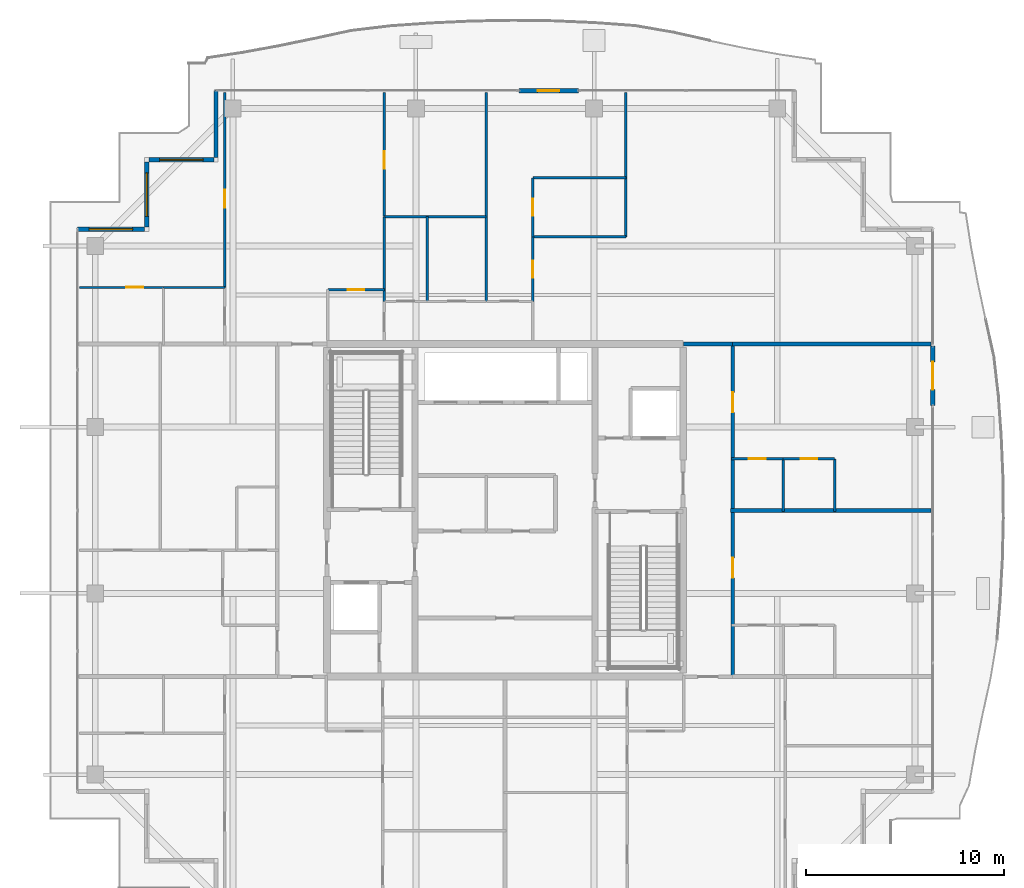
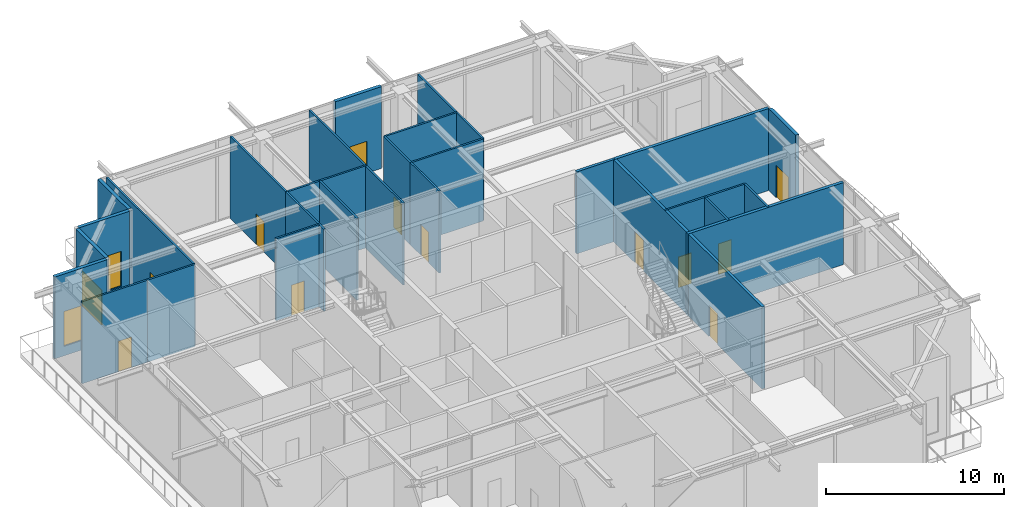
# One storey, part 30 of 40: 28 walls, 12 doors, 3 windows, 15 openings.
"""IFC4 building model written with IfcOpenShell, lengths in metres."""

import ifcopenshell
import ifcopenshell.guid

model = None  # the IFC model being written
_history = None  # IfcOwnerHistory: only IFC2X3 demands one
_inside = {}  # id of a spatial element -> (the spatial element, [elements in it])
_under = {}  # id of a project, library or spatial element -> (it, [spatial elements below it])
_declared = {}  # id of a project -> (the project, [libraries it declares])
_typed = {}  # id of a type object -> (the type object, [elements of that type])
_made_of = {}  # id of a material, layer set ... -> (it, [elements and type objects made of it])


def new_model(schema):
    """Start an empty IFC model of exactly this schema.

    Asked for "IFC4X3", IfcOpenShell would pick the latest addendum, in which some entities
    have other attributes; the version numbers below select the first issue.
    IFC2X3 requires an IfcOwnerHistory on every rooted entity: one is made here for all.
    """
    global model, _history
    if schema == "IFC4X3":
        model = ifcopenshell.file(schema_version=(4, 3, 0, 0))
    else:
        model = ifcopenshell.file(schema=schema)
    _inside.clear()
    _under.clear()
    _declared.clear()
    _typed.clear()
    _made_of.clear()
    _history = None
    if model.schema == "IFC2X3":
        org = make("IfcOrganization", Name="unknown")
        user = make(
            "IfcPersonAndOrganization",
            ThePerson=make("IfcPerson", FamilyName="unknown"),
            TheOrganization=org,
        )
        app = make(
            "IfcApplication",
            ApplicationDeveloper=org,
            Version="unknown",
            ApplicationFullName="unknown",
            ApplicationIdentifier="unknown",
        )
        _history = make(
            "IfcOwnerHistory",
            OwningUser=user,
            OwningApplication=app,
            ChangeAction="ADDED",
            CreationDate=0,
        )
    return model


def make(cls, **values):
    """One entity of the class cls with the attributes given. An attribute that is None is left unset."""
    return model.create_entity(
        cls, **{name: value for name, value in values.items() if value is not None}
    )


def rooted(cls, **values):
    """An entity with a GlobalId (a new one), such as an element, a storey or a relation."""
    return make(cls, GlobalId=ifcopenshell.guid.new(), OwnerHistory=_history, **values)


def si_unit(unit_type, name, prefix=None):
    """IfcSIUnit, for example si_unit("LENGTHUNIT", "METRE", prefix="MILLI")."""
    return make("IfcSIUnit", UnitType=unit_type, Prefix=prefix, Name=name)


def assignment(units):
    """IfcUnitAssignment: the units of a project."""
    return None if units is None else make("IfcUnitAssignment", Units=units)


def point(xyz):
    """IfcCartesianPoint."""
    return None if xyz is None else make("IfcCartesianPoint", Coordinates=xyz)


def direction(xyz):
    """IfcDirection."""
    return None if xyz is None else make("IfcDirection", DirectionRatios=xyz)


def frame(location, z_axis=None, x_axis=None):
    """IfcAxis2Placement3D, a coordinate frame: its origin and axes. An axis left out is left unset."""
    return make(
        "IfcAxis2Placement3D",
        Location=point(location),
        Axis=direction(z_axis),
        RefDirection=direction(x_axis),
    )


def frame_2d(location, x_axis=None):
    """IfcAxis2Placement2D, a coordinate frame in the plane: its origin and x axis."""
    return make(
        "IfcAxis2Placement2D", Location=point(location), RefDirection=direction(x_axis)
    )


def origin():
    """The frame at (0, 0, 0) with its axes left unset."""
    return frame((0.0, 0.0, 0.0))


def place(relative_to, where):
    """IfcLocalPlacement: puts the frame where relative to a parent placement (None: the world)."""
    return make(
        "IfcLocalPlacement", PlacementRelTo=relative_to, RelativePlacement=where
    )


def context(
    kind, dimensions, precision=None, world=None, true_north=None, identifier=None
):
    """IfcGeometricRepresentationContext, for example the 3D "Model" context."""
    return make(
        "IfcGeometricRepresentationContext",
        ContextIdentifier=identifier,
        ContextType=kind,
        CoordinateSpaceDimension=dimensions,
        Precision=precision,
        WorldCoordinateSystem=world,
        TrueNorth=true_north,
    )


def subcontext(parent, identifier, kind, view, scale=None):
    """IfcGeometricRepresentationSubContext, for example "Body" below "Model"."""
    return make(
        "IfcGeometricRepresentationSubContext",
        ContextIdentifier=identifier,
        ContextType=kind,
        ParentContext=parent,
        TargetScale=scale,
        TargetView=view,
    )


def project(units=None, contexts=None):
    """IfcProject with its units and contexts."""
    return rooted(
        "IfcProject",
        Name="project",
        RepresentationContexts=contexts,
        UnitsInContext=assignment(units),
    )


def spatial(cls, under=None, at=None, **own):
    """A site, building, storey or space (cls), placed at a placement, below another one or the project."""
    s = rooted(cls, ObjectPlacement=at, **own)
    if under is not None:
        _under.setdefault(under.id(), (under, []))[1].append(s)
    return s


def profile(cls, at=None, kind="AREA", **sizes):
    """A parametric profile (cls). Its sizes go by their IFC names, for example OverallWidth=200.0."""
    return make(cls, ProfileType=kind, Position=at, **sizes)


def rectangle(**sizes):
    """IfcRectangleProfileDef."""
    return profile("IfcRectangleProfileDef", **sizes)


def extrude(swept, where, along, depth):
    """IfcExtrudedAreaSolid: the profile swept, set in the frame where, extruded along a direction by depth."""
    return make(
        "IfcExtrudedAreaSolid",
        SweptArea=swept,
        Position=where,
        ExtrudedDirection=direction(along),
        Depth=depth,
    )


def shape(context_of_items, identifier, shape_type, items):
    """IfcShapeRepresentation: the items that make up one representation, for example the "Body"."""
    return make(
        "IfcShapeRepresentation",
        ContextOfItems=context_of_items,
        RepresentationIdentifier=identifier,
        RepresentationType=shape_type,
        Items=items,
    )


def source(mapping_origin, context_of_items, identifier, shape_type, items):
    """IfcRepresentationMap: a shape defined once, which mapped items show again and again."""
    return make(
        "IfcRepresentationMap",
        MappingOrigin=mapping_origin,
        MappedRepresentation=shape(context_of_items, identifier, shape_type, items),
    )


def transform(
    local_origin,
    x_axis=None,
    y_axis=None,
    z_axis=None,
    scale=None,
    scale2=None,
    scale3=None,
    uniform=True,
):
    """IfcCartesianTransformationOperator3D, or its non-uniform kind. x_axis, y_axis, z_axis: its Axis1, 2, 3."""
    if uniform:
        return make(
            "IfcCartesianTransformationOperator3D",
            Axis1=direction(x_axis),
            Axis2=direction(y_axis),
            LocalOrigin=point(local_origin),
            Scale=scale,
            Axis3=direction(z_axis),
        )
    return make(
        "IfcCartesianTransformationOperator3DnonUniform",
        Axis1=direction(x_axis),
        Axis2=direction(y_axis),
        LocalOrigin=point(local_origin),
        Scale=scale,
        Axis3=direction(z_axis),
        Scale2=scale2,
        Scale3=scale3,
    )


def mapped(mapping_source, mapping_target):
    """IfcMappedItem: shows the shape of a source again, moved by a transform."""
    return make(
        "IfcMappedItem", MappingSource=mapping_source, MappingTarget=mapping_target
    )


def material(Name=None, Category=None):
    """IfcMaterial."""
    return make("IfcMaterial", Name=Name, Category=Category)


def layer(
    of_material, thickness, ventilated=None, Name=None, Category=None, Priority=None
):
    """IfcMaterialLayer: one layer of a wall or slab, of a material (None: an air gap)."""
    return make(
        "IfcMaterialLayer",
        Material=of_material,
        LayerThickness=thickness,
        IsVentilated=ventilated,
        Name=Name,
        Category=Category,
        Priority=Priority,
    )


def layer_set(layers, Name=None):
    """IfcMaterialLayerSet."""
    return make("IfcMaterialLayerSet", MaterialLayers=layers, LayerSetName=Name)


def made_of(thing, what):
    """Note that an element or type object is made of a material, layer set ...; save() writes the relation."""
    if what is not None:
        _made_of.setdefault(what.id(), (what, []))[1].append(thing)
    return thing


def type_object(cls, material=None, **own):
    """A type object (cls), such as IfcWallType, which elements share."""
    return made_of(rooted(cls, **own), material)


def element(
    cls,
    number,
    at=None,
    inside=None,
    cuts=None,
    type_object=None,
    material=None,
    context=None,
    identifier="Body",
    shape_type=None,
    held_by="IfcProductDefinitionShape",
    body=None,
    shapes=None,
    **own,
):
    """One element of the class cls, such as IfcWall. Its Tag is "e" and its number.

    at: its placement. inside: the storey or other place that contains it. cuts: it is an
    opening in that element (IfcRelVoidsElement). A single representation is given by context,
    identifier, shape_type and body (its items); several are given by shapes. held_by: the class
    of the entity that holds the representations. save() writes the other relations.
    """
    e = rooted(cls, Tag="e%d" % number, ObjectPlacement=at, **own)
    if body is not None:
        shapes = [shape(context, identifier, shape_type, body)]
    if shapes is not None:
        e.Representation = make(held_by, Representations=shapes)
    if inside is not None:
        _inside.setdefault(inside.id(), (inside, []))[1].append(e)
    if cuts is not None:
        rooted(
            "IfcRelVoidsElement", RelatingBuildingElement=cuts, RelatedOpeningElement=e
        )
    if type_object is not None:
        _typed.setdefault(type_object.id(), (type_object, []))[1].append(e)
    return made_of(e, material)


def fill(opening, filler):
    """IfcRelFillsElement: the door or window that sits in an opening."""
    return rooted(
        "IfcRelFillsElement",
        RelatingOpeningElement=opening,
        RelatedBuildingElement=filler,
    )


def aggregate(whole, parts):
    """IfcRelAggregates: a whole, such as a stair, and the parts it consists of."""
    return rooted("IfcRelAggregates", RelatingObject=whole, RelatedObjects=parts)


def save(model, path):
    """Write the relations noted so far, then the file.

    IfcRelAggregates (storeys below a building ...), IfcRelContainedInSpatialStructure (elements
    in a storey), IfcRelDefinesByType, IfcRelAssociatesMaterial and IfcRelDeclares: one each for
    every whole, place, type object, material and project.
    """
    for whole, parts in _under.values():
        aggregate(whole, parts)
    for where, things in _inside.values():
        rooted(
            "IfcRelContainedInSpatialStructure",
            RelatedElements=things,
            RelatingStructure=where,
        )
    for kind, things in _typed.values():
        rooted("IfcRelDefinesByType", RelatedObjects=things, RelatingType=kind)
    for what, things in _made_of.values():
        rooted("IfcRelAssociatesMaterial", RelatedObjects=things, RelatingMaterial=what)
    for by, libraries in _declared.values():
        rooted("IfcRelDeclares", RelatingContext=by, RelatedDefinitions=libraries)
    model.write(path)


model = new_model("IFC4")

# Units and contexts
model_context = context("Model", 3, precision=1e-05, world=origin(), true_north=direction((0.0, 1.0)))
body_context = subcontext(model_context, "Body", "Model", "MODEL_VIEW")
ifc_project = project(units=[si_unit("LENGTHUNIT", "METRE"), si_unit("AREAUNIT", "SQUARE_METRE"), si_unit("VOLUMEUNIT", "CUBIC_METRE"), si_unit("PLANEANGLEUNIT", "RADIAN"), si_unit("MASSUNIT", "GRAM", prefix="KILO")], contexts=[model_context])

# Site, building, storey
site_placement = place(None, origin())
site = spatial("IfcSite", under=ifc_project, at=site_placement, CompositionType="ELEMENT")
building_placement = place(site_placement, origin())
building = spatial("IfcBuilding", under=site, at=building_placement, Name="Serunith Strait Residences", CompositionType="ELEMENT")
storey_placement = place(building_placement, frame((0.0, 0.0, 347.949951171875)))
storey = spatial("IfcBuildingStorey", under=building, at=storey_placement, Name="L86", CompositionType="ELEMENT", Elevation=347.949951171875)

# Wall, opening, door
ifc_material_1 = material(Name="Pale-Champagne Aluminium Insulated Panel", Category="aluminium")
ifc_layer_1 = layer(ifc_material_1, 0.219970703125, Name="Pale-Champagne Aluminium Insulated Panel")
ifc_layer_set_1 = layer_set([ifc_layer_1], Name="Pale-Champagne Aluminium Insulated Panel")
wall_type_1 = type_object("IfcWallType", Name="EW-ALUM-220", PredefinedType="ELEMENTEDWALL", material=ifc_layer_set_1)
wall_1_placement = place(storey_placement, frame((54.0, 30.5, 0.0), z_axis=(0.0, 0.0, 1.0), x_axis=(0.0, 1.0, 0.0)))
wall_1 = element("IfcWall", 1, at=wall_1_placement, inside=storey, type_object=wall_type_1, Name="L86 E Facade Pier Wall", PredefinedType="ELEMENTEDWALL", context=body_context, shape_type="SweptSolid", body=[
    extrude(rectangle(XDim=3.0, YDim=0.219970703125, at=frame_2d((1.5, 0.0))), origin(), (0.0, 0.0, 1.0), 5.625),
])
opening_1_placement = place(wall_1_placement, frame((0.800048828125, 0.0, 0.0)))
opening_1 = element("IfcOpeningElement", 2, at=opening_1_placement, cuts=wall_1, Name="Opening ED-04", PredefinedType="OPENING", context=body_context, shape_type="SweptSolid", body=[
    extrude(rectangle(XDim=1.39990234375, YDim=2.25, at=frame_2d((0.699951171875, 1.125))), frame((0.0, 0.1201171875, 0.0), z_axis=(0.0, -1.0, 0.0), x_axis=(1.0, 0.0, 0.0)), (0.0, 0.0, 1.0), 0.239990234375),
])
ifc_material_2 = material(Name="Thermally-Broken Aluminium Sliding Balcony Door", Category="aluminium")
door_type_1 = type_object("IfcDoorType", Name="ED-BALC-1400", OperationType="NOTDEFINED", PredefinedType="DOOR", material=ifc_material_2)
shared_shape_1 = source(origin(), body_context, "Body", "SweptSolid", [
    extrude(rectangle(XDim=1.39990234375, YDim=2.25, at=frame_2d((0.699951171875, 1.125))), frame((0.0, 0.02490234375, 0.0), z_axis=(0.0, -1.0, 0.0), x_axis=(1.0, 0.0, 0.0)), (0.0, 0.0, 1.0), 0.050048828125),
])
door_1_placement = place(opening_1_placement, origin())
door_1 = element("IfcDoor", 3, at=door_1_placement, inside=storey, type_object=door_type_1, Name="L86 E Vertical-Forest Balcony Door", OperationType="SLIDING_TO_LEFT", OverallHeight=2.25, OverallWidth=1.39990234375, PredefinedType="DOOR", context=body_context, shape_type="MappedRepresentation", body=[
    mapped(shared_shape_1, transform((0.0, 0.0, 0.0), scale=1.0)),
])
fill(opening_1, door_1)

wall_2_placement = place(storey_placement, frame((36.10009765625, 46.39990234375, 0.0), z_axis=(0.0, 0.0, 1.0), x_axis=(-1.0, 0.0, 0.0)))
wall_2 = element("IfcWall", 4, at=wall_2_placement, inside=storey, type_object=wall_type_1, Name="L86 N Facade Pier Wall", PredefinedType="ELEMENTEDWALL", context=body_context, shape_type="SweptSolid", body=[
    extrude(rectangle(XDim=3.0, YDim=0.219970703125, at=frame_2d((1.5, 0.0))), origin(), (0.0, 0.0, 1.0), 5.625),
])
opening_2_placement = place(wall_2_placement, frame((0.949951171875, 0.0, 0.0)))
opening_2 = element("IfcOpeningElement", 5, at=opening_2_placement, cuts=wall_2, Name="Opening ED-03", PredefinedType="OPENING", context=body_context, shape_type="SweptSolid", body=[
    extrude(rectangle(XDim=1.10009765625, YDim=2.199951171875, at=frame_2d((0.550048828125, 1.10009765625))), frame((0.0, 0.1201171875, 0.0), z_axis=(0.0, -1.0, 0.0), x_axis=(1.0, 0.0, 0.0)), (0.0, 0.0, 1.0), 0.239990234375),
])
ifc_material_3 = material(Name="Thermally-Broken Aluminium Glazed Balcony Door", Category="aluminium")
door_type_2 = type_object("IfcDoorType", Name="ED-BALC-1100", OperationType="NOTDEFINED", PredefinedType="DOOR", material=ifc_material_3)
shared_shape_2 = source(origin(), body_context, "Body", "SweptSolid", [
    extrude(rectangle(XDim=1.10009765625, YDim=2.199951171875, at=frame_2d((0.550048828125, 1.10009765625))), frame((0.0, 0.02490234375, 0.0), z_axis=(0.0, -1.0, 0.0), x_axis=(1.0, 0.0, 0.0)), (0.0, 0.0, 1.0), 0.050048828125),
])
door_2_placement = place(opening_2_placement, origin())
door_2 = element("IfcDoor", 6, at=door_2_placement, inside=storey, type_object=door_type_2, Name="L86 N Vertical-Forest Balcony Door", OperationType="SINGLE_SWING_RIGHT", OverallHeight=2.199951171875, OverallWidth=1.10009765625, PredefinedType="DOOR", context=body_context, shape_type="MappedRepresentation", body=[
    mapped(shared_shape_2, transform((0.0, 0.0, 0.0), scale=1.0)),
])
fill(opening_2, door_2)

# Wall
wall_3_placement = place(storey_placement, frame((17.800048828125, 46.39990234375, 0.0), z_axis=(0.0, 0.0, 1.0), x_axis=(0.0, -1.0, 0.0)))
element("IfcWall", 7, at=wall_3_placement, inside=storey, type_object=wall_type_1, Name="L86 Girih Serrated Corner Wall 12", PredefinedType="ELEMENTEDWALL", context=body_context, shape_type="SweptSolid", body=[
    extrude(rectangle(XDim=3.389892578125, YDim=0.219970703125, at=frame_2d((1.69482421875, 0.0))), origin(), (0.0, 0.0, 1.0), 5.625),
])

# Wall, opening, window
wall_4_placement = place(storey_placement, frame((17.68994140625, 42.89990234375, 0.0), z_axis=(0.0, 0.0, 1.0), x_axis=(-1.0, 0.0, 0.0)))
wall_4 = element("IfcWall", 8, at=wall_4_placement, inside=storey, type_object=wall_type_1, Name="L86 Girih Serrated Corner Wall 13", PredefinedType="ELEMENTEDWALL", context=body_context, shape_type="SweptSolid", body=[
    extrude(rectangle(XDim=3.280029296875, YDim=0.219970703125, at=frame_2d((1.64013671875, 0.0))), origin(), (0.0, 0.0, 1.0), 5.625),
])
opening_3_placement = place(wall_4_placement, frame((0.5400390625, 0.0, 0.64990234375)))
opening_3 = element("IfcOpeningElement", 9, at=opening_3_placement, cuts=wall_4, Name="Opening W-06", PredefinedType="OPENING", context=body_context, shape_type="SweptSolid", body=[
    extrude(rectangle(XDim=2.199951171875, YDim=2.39990234375, at=frame_2d((1.10009765625, 1.199951171875))), frame((0.0, 0.1201171875, 0.0), z_axis=(0.0, -1.0, 0.0), x_axis=(1.0, 0.0, 0.0)), (0.0, 0.0, 1.0), 0.239990234375),
])
ifc_material_4 = material(Name="Crown Penthouse Low-E Operable Window Glass", Category="glass")
window_type = type_object("IfcWindowType", Name="WIN-C6", PartitioningType="TRIPLE_PANEL_VERTICAL", PredefinedType="WINDOW", material=ifc_material_4)
shared_shape_3 = source(origin(), body_context, "Body", "SweptSolid", [
    extrude(rectangle(XDim=2.199951171875, YDim=2.39990234375, at=frame_2d((1.10009765625, 1.199951171875))), frame((0.0, 0.030029296875, 0.0), z_axis=(0.0, -1.0, 0.0), x_axis=(1.0, 0.0, 0.0)), (0.0, 0.0, 1.0), 0.06005859375),
])
window_1_placement = place(opening_3_placement, origin())
window_1 = element("IfcWindow", 10, at=window_1_placement, inside=storey, type_object=window_type, Name="L86 Corner Operable Fritted Window 13", OverallHeight=2.39990234375, OverallWidth=2.199951171875, PartitioningType="SINGLE_PANEL", PredefinedType="WINDOW", context=body_context, shape_type="MappedRepresentation", body=[
    mapped(shared_shape_3, transform((0.0, 0.0, 0.0), scale=1.0)),
])
fill(opening_3, window_1)

wall_5_placement = place(storey_placement, frame((14.300048828125, 42.7900390625, 0.0), z_axis=(0.0, 0.0, 1.0), x_axis=(0.0, -1.0, 0.0)))
wall_5 = element("IfcWall", 11, at=wall_5_placement, inside=storey, type_object=wall_type_1, Name="L86 Girih Serrated Corner Wall 14", PredefinedType="ELEMENTEDWALL", context=body_context, shape_type="SweptSolid", body=[
    extrude(rectangle(XDim=3.280029296875, YDim=0.219970703125, at=frame_2d((1.64013671875, 0.0))), origin(), (0.0, 0.0, 1.0), 5.625),
])
opening_4_placement = place(wall_5_placement, frame((0.5400390625, 0.0, 0.64990234375)))
opening_4 = element("IfcOpeningElement", 12, at=opening_4_placement, cuts=wall_5, Name="Opening W-06", PredefinedType="OPENING", context=body_context, shape_type="SweptSolid", body=[
    extrude(rectangle(XDim=2.199951171875, YDim=2.39990234375, at=frame_2d((1.10009765625, 1.199951171875))), frame((0.0, 0.1201171875, 0.0), z_axis=(0.0, -1.0, 0.0), x_axis=(1.0, 0.0, 0.0)), (0.0, 0.0, 1.0), 0.239990234375),
])
window_2_placement = place(opening_4_placement, origin())
window_2 = element("IfcWindow", 13, at=window_2_placement, inside=storey, type_object=window_type, Name="L86 Corner Operable Fritted Window 14", OverallHeight=2.39990234375, OverallWidth=2.199951171875, PartitioningType="SINGLE_PANEL", PredefinedType="WINDOW", context=body_context, shape_type="MappedRepresentation", body=[
    mapped(shared_shape_3, transform((0.0, 0.0, 0.0), scale=1.0)),
])
fill(opening_4, window_2)

wall_6_placement = place(storey_placement, frame((14.18994140625, 39.39990234375, 0.0), z_axis=(0.0, 0.0, 1.0), x_axis=(-1.0, 0.0, 0.0)))
wall_6 = element("IfcWall", 14, at=wall_6_placement, inside=storey, type_object=wall_type_1, Name="L86 Girih Serrated Corner Wall 15", PredefinedType="ELEMENTEDWALL", context=body_context, shape_type="SweptSolid", body=[
    extrude(rectangle(XDim=3.389892578125, YDim=0.219970703125, at=frame_2d((1.69482421875, 0.0))), origin(), (0.0, 0.0, 1.0), 5.625),
])
opening_5_placement = place(wall_6_placement, frame((0.594970703125, 0.0, 0.64990234375)))
opening_5 = element("IfcOpeningElement", 15, at=opening_5_placement, cuts=wall_6, Name="Opening W-06", PredefinedType="OPENING", context=body_context, shape_type="SweptSolid", body=[
    extrude(rectangle(XDim=2.199951171875, YDim=2.39990234375, at=frame_2d((1.10009765625, 1.199951171875))), frame((0.0, 0.1201171875, 0.0), z_axis=(0.0, -1.0, 0.0), x_axis=(1.0, 0.0, 0.0)), (0.0, 0.0, 1.0), 0.239990234375),
])
window_3_placement = place(opening_5_placement, origin())
window_3 = element("IfcWindow", 16, at=window_3_placement, inside=storey, type_object=window_type, Name="L86 Corner Operable Fritted Window 15", OverallHeight=2.39990234375, OverallWidth=2.199951171875, PartitioningType="SINGLE_PANEL", PredefinedType="WINDOW", context=body_context, shape_type="MappedRepresentation", body=[
    mapped(shared_shape_3, transform((0.0, 0.0, 0.0), scale=1.0)),
])
fill(opening_5, window_3)

# Wall
ifc_material_5 = material(Name="Fire-rated acoustic gypsum partition")
ifc_layer_2 = layer(ifc_material_5, 0.179931640625, Name="Fire-rated acoustic gypsum partition")
ifc_layer_set_2 = layer_set([ifc_layer_2], Name="Fire-rated acoustic gypsum partition")
wall_type_2 = type_object("IfcWallType", Name="IW-CORR-180", PredefinedType="PARTITIONING", material=ifc_layer_set_2)
wall_7_placement = place(storey_placement, frame((41.402099609375, 33.60009765625, 0.0), z_axis=(0.0, 0.0, 1.0), x_axis=(1.0, 0.0, 0.0)))
element("IfcWall", 17, at=wall_7_placement, inside=storey, type_object=wall_type_2, Name="L86 Partition Wall 028", PredefinedType="PARTITIONING", context=body_context, shape_type="SweptSolid", body=[
    extrude(rectangle(XDim=2.495849609375, YDim=0.179931640625, at=frame_2d((1.248046875, 0.0))), origin(), (0.0, 0.0, 1.0), 5.64013671875),
])

# Wall, openings, doors
wall_8_placement = place(storey_placement, frame((43.89990234375, 16.800048828125, 0.0), z_axis=(0.0, 0.0, 1.0), x_axis=(0.0, 1.0, 0.0)))
wall_8 = element("IfcWall", 18, at=wall_8_placement, inside=storey, type_object=wall_type_2, Name="L86 Partition Wall 029", PredefinedType="PARTITIONING", context=body_context, shape_type="SweptSolid", body=[
    extrude(rectangle(XDim=16.800048828125, YDim=0.179931640625, at=frame_2d((8.39990234375, 0.0))), origin(), (0.0, 0.0, 1.0), 5.64013671875),
])
opening_6_placement = place(wall_8_placement, frame((4.992919921875, 0.0, 0.0)))
opening_6 = element("IfcOpeningElement", 19, at=opening_6_placement, cuts=wall_8, Name="Opening D-APT1000", PredefinedType="OPENING", context=body_context, shape_type="SweptSolid", body=[
    extrude(rectangle(XDim=1.0, YDim=2.14990234375, at=frame_2d((0.5, 1.074951171875))), frame((0.0, 0.10009765625, 0.0), z_axis=(0.0, -1.0, 0.0), x_axis=(1.0, 0.0, 0.0)), (0.0, 0.0, 1.0), 0.199951171875),
])
opening_7_placement = place(wall_8_placement, frame((13.35107421875, 0.0, 0.0)))
opening_7 = element("IfcOpeningElement", 20, at=opening_7_placement, cuts=wall_8, Name="Opening D-APT1000", PredefinedType="OPENING", context=body_context, shape_type="SweptSolid", body=[
    extrude(rectangle(XDim=1.0, YDim=2.14990234375, at=frame_2d((0.5, 1.074951171875))), frame((0.0, 0.10009765625, 0.0), z_axis=(0.0, -1.0, 0.0), x_axis=(1.0, 0.0, 0.0)), (0.0, 0.0, 1.0), 0.199951171875),
])
ifc_material_6 = material(Name="Solid timber engineered fire door", Category="wood")
door_type_3 = type_object("IfcDoorType", Name="ID-APT-1000", OperationType="NOTDEFINED", PredefinedType="DOOR", material=ifc_material_6)
shared_shape_4 = source(origin(), body_context, "Body", "SweptSolid", [
    extrude(rectangle(XDim=1.0, YDim=2.14990234375, at=frame_2d((0.5, 1.074951171875))), frame((0.0, 0.02490234375, 0.0), z_axis=(0.0, -1.0, 0.0), x_axis=(1.0, 0.0, 0.0)), (0.0, 0.0, 1.0), 0.050048828125),
])
door_3_placement = place(opening_6_placement, origin())
door_3 = element("IfcDoor", 21, at=door_3_placement, inside=storey, type_object=door_type_3, Name="L86 Unit 05 Entrance Door", OperationType="SINGLE_SWING_RIGHT", OverallHeight=2.14990234375, OverallWidth=1.0, PredefinedType="DOOR", context=body_context, shape_type="MappedRepresentation", body=[
    mapped(shared_shape_4, transform((0.0, 0.0, 0.0), scale=1.0)),
])
fill(opening_6, door_3)
door_4_placement = place(opening_7_placement, origin())
door_4 = element("IfcDoor", 22, at=door_4_placement, inside=storey, type_object=door_type_3, Name="L86 Unit 06 Entrance Door", OperationType="SINGLE_SWING_LEFT", OverallHeight=2.14990234375, OverallWidth=1.0, PredefinedType="DOOR", context=body_context, shape_type="MappedRepresentation", body=[
    mapped(shared_shape_4, transform((0.0, 0.0, 0.0), scale=1.0)),
])
fill(opening_7, door_4)

# Wall, opening, door
ifc_material_7 = material(Name="Lightweight steel-stud gypsum partition", Category="steel")
ifc_layer_3 = layer(ifc_material_7, 0.1201171875, Name="Lightweight steel-stud gypsum partition")
ifc_layer_set_3 = layer_set([ifc_layer_3], Name="Lightweight steel-stud gypsum partition")
wall_type_3 = type_object("IfcWallType", Name="IW-PART-120", PredefinedType="PARTITIONING", material=ifc_layer_set_3)
wall_9_placement = place(storey_placement, frame((23.449951171875, 36.35009765625, 0.0), z_axis=(0.0, 0.0, 1.0), x_axis=(1.0, 0.0, 0.0)))
wall_9 = element("IfcWall", 23, at=wall_9_placement, inside=storey, type_object=wall_type_3, Name="L86 Partition Wall 052", PredefinedType="PARTITIONING", context=body_context, shape_type="SweptSolid", body=[
    extrude(rectangle(XDim=2.85009765625, YDim=0.1201171875, at=frame_2d((1.425048828125, 0.0))), origin(), (0.0, 0.0, 1.0), 5.64013671875),
])
opening_8_placement = place(wall_9_placement, frame((1.0, 0.0, 0.0)))
opening_8 = element("IfcOpeningElement", 24, at=opening_8_placement, cuts=wall_9, Name="Opening D-RM850", PredefinedType="OPENING", context=body_context, shape_type="SweptSolid", body=[
    extrude(rectangle(XDim=0.85009765625, YDim=2.10009765625, at=frame_2d((0.425048828125, 1.050048828125))), frame((0.0, 0.070068359375, 0.0), z_axis=(0.0, -1.0, 0.0), x_axis=(1.0, 0.0, 0.0)), (0.0, 0.0, 1.0), 0.14013671875),
])
ifc_material_8 = material(Name="Engineered timber flush study and kitchen door", Category="wood")
door_type_4 = type_object("IfcDoorType", Name="ID-ROOM-850", OperationType="NOTDEFINED", PredefinedType="DOOR", material=ifc_material_8)
shared_shape_5 = source(origin(), body_context, "Body", "SweptSolid", [
    extrude(rectangle(XDim=0.85009765625, YDim=2.10009765625, at=frame_2d((0.425048828125, 1.050048828125))), frame((0.0, 0.02490234375, 0.0), z_axis=(0.0, -1.0, 0.0), x_axis=(1.0, 0.0, 0.0)), (0.0, 0.0, 1.0), 0.050048828125),
])
door_5_placement = place(opening_8_placement, origin())
door_5 = element("IfcDoor", 25, at=door_5_placement, inside=storey, type_object=door_type_4, Name="L86 Kitchen 8603 Door", OperationType="SINGLE_SWING_LEFT", OverallHeight=2.10009765625, OverallWidth=0.85009765625, PredefinedType="DOOR", context=body_context, shape_type="MappedRepresentation", body=[
    mapped(shared_shape_5, transform((0.0, 0.0, 0.0), scale=1.0)),
])
fill(opening_8, door_5)

wall_10_placement = place(storey_placement, frame((18.25, 46.304931640625, 0.0), z_axis=(0.0, 0.0, 1.0), x_axis=(0.0, -1.0, 0.0)))
wall_10 = element("IfcWall", 26, at=wall_10_placement, inside=storey, type_object=wall_type_3, Name="L86 Partition Wall 054", PredefinedType="PARTITIONING", context=body_context, shape_type="SweptSolid", body=[
    extrude(rectangle(XDim=9.848876953125, YDim=0.1201171875, at=frame_2d((4.92431640625, 0.0))), origin(), (0.0, 0.0, 1.0), 5.64013671875),
])
opening_9_placement = place(wall_10_placement, frame((4.922119140625, 0.0, 0.0)))
opening_9 = element("IfcOpeningElement", 27, at=opening_9_placement, cuts=wall_10, Name="Opening D-RM900", PredefinedType="OPENING", context=body_context, shape_type="SweptSolid", body=[
    extrude(rectangle(XDim=0.89990234375, YDim=2.10009765625, at=frame_2d((0.449951171875, 1.050048828125))), frame((0.0, 0.070068359375, 0.0), z_axis=(0.0, -1.0, 0.0), x_axis=(1.0, 0.0, 0.0)), (0.0, 0.0, 1.0), 0.14013671875),
])
ifc_material_9 = material(Name="Engineered timber flush bedroom door", Category="wood")
door_type_5 = type_object("IfcDoorType", Name="ID-ROOM-900", OperationType="NOTDEFINED", PredefinedType="DOOR", material=ifc_material_9)
shared_shape_6 = source(origin(), body_context, "Body", "SweptSolid", [
    extrude(rectangle(XDim=0.89990234375, YDim=2.10009765625, at=frame_2d((0.449951171875, 1.050048828125))), frame((0.0, 0.02490234375, 0.0), z_axis=(0.0, -1.0, 0.0), x_axis=(1.0, 0.0, 0.0)), (0.0, 0.0, 1.0), 0.050048828125),
])
door_6_placement = place(opening_9_placement, origin())
door_6 = element("IfcDoor", 28, at=door_6_placement, inside=storey, type_object=door_type_5, Name="L86 Master Bedroom 1 8603 Door", OperationType="SINGLE_SWING_RIGHT", OverallHeight=2.10009765625, OverallWidth=0.89990234375, PredefinedType="DOOR", context=body_context, shape_type="MappedRepresentation", body=[
    mapped(shared_shape_6, transform((0.0, 0.0, 0.0), scale=1.0)),
])
fill(opening_9, door_6)

wall_11_placement = place(storey_placement, frame((10.89501953125, 36.4560546875, 0.0), z_axis=(0.0, 0.0, 1.0), x_axis=(1.0, 0.0, 0.0)))
wall_11 = element("IfcWall", 29, at=wall_11_placement, inside=storey, type_object=wall_type_3, Name="L86 Partition Wall 055", PredefinedType="PARTITIONING", context=body_context, shape_type="SweptSolid", body=[
    extrude(rectangle(XDim=4.2548828125, YDim=0.1201171875, at=frame_2d((2.12744140625, 0.0))), origin(), (0.0, 0.0, 1.0), 5.64013671875),
])
opening_10_placement = place(wall_11_placement, frame((2.384033203125, 0.0, 0.0)))
opening_10 = element("IfcOpeningElement", 30, at=opening_10_placement, cuts=wall_11, Name="Opening D-RM850", PredefinedType="OPENING", context=body_context, shape_type="SweptSolid", body=[
    extrude(rectangle(XDim=0.85009765625, YDim=2.10009765625, at=frame_2d((0.425048828125, 1.050048828125))), frame((0.0, 0.070068359375, 0.0), z_axis=(0.0, -1.0, 0.0), x_axis=(1.0, 0.0, 0.0)), (0.0, 0.0, 1.0), 0.14013671875),
])
door_7_placement = place(opening_10_placement, origin())
door_7 = element("IfcDoor", 31, at=door_7_placement, inside=storey, type_object=door_type_4, Name="L86 Wardrobe 8603 Door", OperationType="SINGLE_SWING_LEFT", OverallHeight=2.10009765625, OverallWidth=0.85009765625, PredefinedType="DOOR", context=body_context, shape_type="MappedRepresentation", body=[
    mapped(shared_shape_5, transform((0.0, 0.0, 0.0), scale=1.0)),
])
fill(opening_10, door_7)

# Wall
wall_12_placement = place(storey_placement, frame((15.152099609375, 36.4560546875, 0.0), z_axis=(0.0, 0.0, 1.0), x_axis=(1.0, 0.0, 0.0)))
element("IfcWall", 32, at=wall_12_placement, inside=storey, type_object=wall_type_3, Name="L86 Partition Wall 056", PredefinedType="PARTITIONING", context=body_context, shape_type="SweptSolid", body=[
    extrude(rectangle(XDim=3.097900390625, YDim=0.1201171875, at=frame_2d((1.548828125, 0.0))), origin(), (0.0, 0.0, 1.0), 5.64013671875),
])

# Wall, opening, door
wall_13_placement = place(storey_placement, frame((26.300048828125, 46.304931640625, 0.0), z_axis=(0.0, 0.0, 1.0), x_axis=(0.0, -1.0, 0.0)))
wall_13 = element("IfcWall", 33, at=wall_13_placement, inside=storey, type_object=wall_type_3, Name="L86 Partition Wall 060", PredefinedType="PARTITIONING", context=body_context, shape_type="SweptSolid", body=[
    extrude(rectangle(XDim=6.27587890625, YDim=0.1201171875, at=frame_2d((3.137939453125, 0.0))), origin(), (0.0, 0.0, 1.0), 5.64013671875),
])
opening_11_placement = place(wall_13_placement, frame((2.95703125, 0.0, 0.0)))
opening_11 = element("IfcOpeningElement", 34, at=opening_11_placement, cuts=wall_13, Name="Opening D-RM900", PredefinedType="OPENING", context=body_context, shape_type="SweptSolid", body=[
    extrude(rectangle(XDim=0.89990234375, YDim=2.10009765625, at=frame_2d((0.449951171875, 1.050048828125))), frame((0.0, 0.070068359375, 0.0), z_axis=(0.0, -1.0, 0.0), x_axis=(1.0, 0.0, 0.0)), (0.0, 0.0, 1.0), 0.14013671875),
])
door_8_placement = place(opening_11_placement, origin())
door_8 = element("IfcDoor", 35, at=door_8_placement, inside=storey, type_object=door_type_5, Name="L86 Formal Dining Room 2 8603 Door", OperationType="SINGLE_SWING_RIGHT", OverallHeight=2.10009765625, OverallWidth=0.89990234375, PredefinedType="DOOR", context=body_context, shape_type="MappedRepresentation", body=[
    mapped(shared_shape_6, transform((0.0, 0.0, 0.0), scale=1.0)),
])
fill(opening_11, door_8)

# Walls
wall_14_placement = place(storey_placement, frame((26.300048828125, 40.027099609375, 0.0), z_axis=(0.0, 0.0, 1.0), x_axis=(0.0, -1.0, 0.0)))
element("IfcWall", 36, at=wall_14_placement, inside=storey, type_object=wall_type_3, Name="L86 Partition Wall 061", PredefinedType="PARTITIONING", context=body_context, shape_type="SweptSolid", body=[
    extrude(rectangle(XDim=4.275146484375, YDim=0.1201171875, at=frame_2d((2.1376953125, 0.0))), origin(), (0.0, 0.0, 1.0), 5.64013671875),
])
wall_15_placement = place(storey_placement, frame((26.300048828125, 40.029052734375, 0.0), z_axis=(0.0, 0.0, 1.0), x_axis=(1.0, 0.0, 0.0)))
element("IfcWall", 37, at=wall_15_placement, inside=storey, type_object=wall_type_3, Name="L86 Partition Wall 062", PredefinedType="PARTITIONING", context=body_context, shape_type="SweptSolid", body=[
    extrude(rectangle(XDim=5.14990234375, YDim=0.1201171875, at=frame_2d((2.574951171875, 0.0))), origin(), (0.0, 0.0, 1.0), 5.64013671875),
])
wall_16_placement = place(storey_placement, frame((31.449951171875, 46.304931640625, 0.0), z_axis=(0.0, 0.0, 1.0), x_axis=(0.0, -1.0, 0.0)))
element("IfcWall", 38, at=wall_16_placement, inside=storey, type_object=wall_type_3, Name="L86 Partition Wall 063", PredefinedType="PARTITIONING", context=body_context, shape_type="SweptSolid", body=[
    extrude(rectangle(XDim=10.554931640625, YDim=0.1201171875, at=frame_2d((5.27734375, 0.0))), origin(), (0.0, 0.0, 1.0), 5.64013671875),
])
wall_17_placement = place(storey_placement, frame((28.462890625, 40.029052734375, 0.0), z_axis=(0.0, 0.0, 1.0), x_axis=(0.0, -1.0, 0.0)))
element("IfcWall", 39, at=wall_17_placement, inside=storey, type_object=wall_type_3, Name="L86 Partition Wall 064", PredefinedType="PARTITIONING", context=body_context, shape_type="SweptSolid", body=[
    extrude(rectangle(XDim=4.279052734375, YDim=0.1201171875, at=frame_2d((2.1396484375, 0.0))), origin(), (0.0, 0.0, 1.0), 5.64013671875),
])
wall_18_placement = place(storey_placement, frame((33.800048828125, 41.989990234375, 0.0), z_axis=(0.0, 0.0, 1.0), x_axis=(1.0, 0.0, 0.0)))
element("IfcWall", 40, at=wall_18_placement, inside=storey, type_object=wall_type_3, Name="L86 Partition Wall 068", PredefinedType="PARTITIONING", context=body_context, shape_type="SweptSolid", body=[
    extrude(rectangle(XDim=4.699951171875, YDim=0.1201171875, at=frame_2d((2.35009765625, 0.0))), origin(), (0.0, 0.0, 1.0), 5.64013671875),
])
wall_19_placement = place(storey_placement, frame((38.5, 46.304931640625, 0.0), z_axis=(0.0, 0.0, 1.0), x_axis=(0.0, -1.0, 0.0)))
element("IfcWall", 41, at=wall_19_placement, inside=storey, type_object=wall_type_3, Name="L86 Partition Wall 069", PredefinedType="PARTITIONING", context=body_context, shape_type="SweptSolid", body=[
    extrude(rectangle(XDim=7.2939453125, YDim=0.1201171875, at=frame_2d((3.64697265625, 0.0))), origin(), (0.0, 0.0, 1.0), 5.64013671875),
])
wall_20_placement = place(storey_placement, frame((33.800048828125, 39.010986328125, 0.0), z_axis=(0.0, 0.0, 1.0), x_axis=(1.0, 0.0, 0.0)))
element("IfcWall", 42, at=wall_20_placement, inside=storey, type_object=wall_type_3, Name="L86 Partition Wall 070", PredefinedType="PARTITIONING", context=body_context, shape_type="SweptSolid", body=[
    extrude(rectangle(XDim=4.699951171875, YDim=0.1201171875, at=frame_2d((2.35009765625, 0.0))), origin(), (0.0, 0.0, 1.0), 5.64013671875),
])

# Wall, opening, door
wall_21_placement = place(storey_placement, frame((33.800048828125, 41.989990234375, 0.0), z_axis=(0.0, 0.0, 1.0), x_axis=(0.0, -1.0, 0.0)))
wall_21 = element("IfcWall", 43, at=wall_21_placement, inside=storey, type_object=wall_type_3, Name="L86 Partition Wall 071", PredefinedType="PARTITIONING", context=body_context, shape_type="SweptSolid", body=[
    extrude(rectangle(XDim=2.97900390625, YDim=0.1201171875, at=frame_2d((1.489501953125, 0.0))), origin(), (0.0, 0.0, 1.0), 5.64013671875),
])
opening_12_placement = place(wall_21_placement, frame((1.06396484375, 0.0, 0.0)))
opening_12 = element("IfcOpeningElement", 44, at=opening_12_placement, cuts=wall_21, Name="Opening D-BTH850", PredefinedType="OPENING", context=body_context, shape_type="SweptSolid", body=[
    extrude(rectangle(XDim=0.85009765625, YDim=2.10009765625, at=frame_2d((0.425048828125, 1.050048828125))), frame((0.0, 0.070068359375, 0.0), z_axis=(0.0, -1.0, 0.0), x_axis=(1.0, 0.0, 0.0)), (0.0, 0.0, 1.0), 0.14013671875),
])
ifc_material_10 = material(Name="Moisture-resistant timber bathroom door", Category="wood")
door_type_6 = type_object("IfcDoorType", Name="ID-BATH-850", OperationType="NOTDEFINED", PredefinedType="DOOR", material=ifc_material_10)
door_9_placement = place(opening_12_placement, origin())
door_9 = element("IfcDoor", 45, at=door_9_placement, inside=storey, type_object=door_type_6, Name="L86 En-suite Bathroom E 8603 Door", OperationType="SINGLE_SWING_RIGHT", OverallHeight=2.10009765625, OverallWidth=0.85009765625, PredefinedType="DOOR", context=body_context, shape_type="MappedRepresentation", body=[
    mapped(shared_shape_5, transform((0.0, 0.0, 0.0), scale=1.0)),
])
fill(opening_12, door_9)

wall_22_placement = place(storey_placement, frame((33.800048828125, 39.009033203125, 0.0), z_axis=(0.0, 0.0, 1.0), x_axis=(0.0, -1.0, 0.0)))
wall_22 = element("IfcWall", 46, at=wall_22_placement, inside=storey, type_object=wall_type_3, Name="L86 Partition Wall 072", PredefinedType="PARTITIONING", context=body_context, shape_type="SweptSolid", body=[
    extrude(rectangle(XDim=3.259033203125, YDim=0.1201171875, at=frame_2d((1.62939453125, 0.0))), origin(), (0.0, 0.0, 1.0), 5.64013671875),
])
opening_13_placement = place(wall_22_placement, frame((1.205078125, 0.0, 0.0)))
opening_13 = element("IfcOpeningElement", 47, at=opening_13_placement, cuts=wall_22, Name="Opening D-RM850", PredefinedType="OPENING", context=body_context, shape_type="SweptSolid", body=[
    extrude(rectangle(XDim=0.85009765625, YDim=2.10009765625, at=frame_2d((0.425048828125, 1.050048828125))), frame((0.0, 0.070068359375, 0.0), z_axis=(0.0, -1.0, 0.0), x_axis=(1.0, 0.0, 0.0)), (0.0, 0.0, 1.0), 0.14013671875),
])
door_10_placement = place(opening_13_placement, origin())
door_10 = element("IfcDoor", 48, at=door_10_placement, inside=storey, type_object=door_type_4, Name="L86 Wardrobe E 8603 Door", OperationType="SINGLE_SWING_LEFT", OverallHeight=2.10009765625, OverallWidth=0.85009765625, PredefinedType="DOOR", context=body_context, shape_type="MappedRepresentation", body=[
    mapped(shared_shape_5, transform((0.0, 0.0, 0.0), scale=1.0)),
])
fill(opening_13, door_10)

wall_23_placement = place(storey_placement, frame((49.050048828125, 27.800048828125, 0.0), z_axis=(0.0, 0.0, 1.0), x_axis=(-1.0, 0.0, 0.0)))
wall_23 = element("IfcWall", 49, at=wall_23_placement, inside=storey, type_object=wall_type_3, Name="L86 Partition Wall 086", PredefinedType="PARTITIONING", context=body_context, shape_type="SweptSolid", body=[
    extrude(rectangle(XDim=2.60009765625, YDim=0.1201171875, at=frame_2d((1.300048828125, 0.0))), origin(), (0.0, 0.0, 1.0), 5.64013671875),
])
opening_14_placement = place(wall_23_placement, frame((0.875, 0.0, 0.0)))
opening_14 = element("IfcOpeningElement", 50, at=opening_14_placement, cuts=wall_23, Name="Opening D-RM850", PredefinedType="OPENING", context=body_context, shape_type="SweptSolid", body=[
    extrude(rectangle(XDim=0.85009765625, YDim=2.10009765625, at=frame_2d((0.425048828125, 1.050048828125))), frame((0.0, 0.070068359375, 0.0), z_axis=(0.0, -1.0, 0.0), x_axis=(1.0, 0.0, 0.0)), (0.0, 0.0, 1.0), 0.14013671875),
])
door_11_placement = place(opening_14_placement, origin())
door_11 = element("IfcDoor", 51, at=door_11_placement, inside=storey, type_object=door_type_4, Name="L86 Kitchen 8606 Door", OperationType="SINGLE_SWING_RIGHT", OverallHeight=2.10009765625, OverallWidth=0.85009765625, PredefinedType="DOOR", context=body_context, shape_type="MappedRepresentation", body=[
    mapped(shared_shape_5, transform((0.0, 0.0, 0.0), scale=1.0)),
])
fill(opening_14, door_11)

wall_24_placement = place(storey_placement, frame((46.447998046875, 27.800048828125, 0.0), z_axis=(0.0, 0.0, 1.0), x_axis=(-1.0, 0.0, 0.0)))
wall_24 = element("IfcWall", 52, at=wall_24_placement, inside=storey, type_object=wall_type_3, Name="L86 Partition Wall 087", PredefinedType="PARTITIONING", context=body_context, shape_type="SweptSolid", body=[
    extrude(rectangle(XDim=2.60791015625, YDim=0.1201171875, at=frame_2d((1.303955078125, 0.0))), origin(), (0.0, 0.0, 1.0), 5.64013671875),
])
opening_15_placement = place(wall_24_placement, frame((0.87890625, 0.0, 0.0)))
opening_15 = element("IfcOpeningElement", 53, at=opening_15_placement, cuts=wall_24, Name="Opening D-BTH850", PredefinedType="OPENING", context=body_context, shape_type="SweptSolid", body=[
    extrude(rectangle(XDim=0.85009765625, YDim=2.10009765625, at=frame_2d((0.425048828125, 1.050048828125))), frame((0.0, 0.070068359375, 0.0), z_axis=(0.0, -1.0, 0.0), x_axis=(1.0, 0.0, 0.0)), (0.0, 0.0, 1.0), 0.14013671875),
])
door_12_placement = place(opening_15_placement, origin())
door_12 = element("IfcDoor", 54, at=door_12_placement, inside=storey, type_object=door_type_6, Name="L86 Bathroom 8606 Door", OperationType="SINGLE_SWING_LEFT", OverallHeight=2.10009765625, OverallWidth=0.85009765625, PredefinedType="DOOR", context=body_context, shape_type="MappedRepresentation", body=[
    mapped(shared_shape_5, transform((0.0, 0.0, 0.0), scale=1.0)),
])
fill(opening_15, door_12)

# Walls
for number, where, z_axis, x_axis, name in (
    (55, (46.449951171875, 25.139892578125, 0.0), (0.0, 0.0, 1.0), (0.0, 1.0, 0.0), "L86 Partition Wall 088"),
    (56, (49.050048828125, 25.139892578125, 0.0), (0.0, 0.0, 1.0), (0.0, 1.0, 0.0), "L86 Partition Wall 089"),
):
    element("IfcWall", number, at=place(storey_placement, frame(where, z_axis=z_axis, x_axis=x_axis)), inside=storey, type_object=wall_type_3, Name=name, PredefinedType="PARTITIONING", context=body_context, shape_type="SweptSolid", body=[
        extrude(rectangle(XDim=2.66015625, YDim=0.1201171875, at=frame_2d((1.330078125, 0.0))), origin(), (0.0, 0.0, 1.0), 5.64013671875),
    ])
ifc_material_11 = material(Name="Twin-stud acoustic gypsum board partition")
ifc_layer_4 = layer(ifc_material_11, 0.199951171875, Name="Twin-stud acoustic gypsum board partition")
ifc_layer_set_4 = layer_set([ifc_layer_4], Name="Twin-stud acoustic gypsum board partition")
wall_type_4 = type_object("IfcWallType", Name="IW-PARTY-200", PredefinedType="PARTITIONING", material=ifc_layer_set_4)
wall_25_placement = place(storey_placement, frame((43.780029296875, 25.199951171875, 0.0), z_axis=(0.0, 0.0, 1.0), x_axis=(1.0, 0.0, 0.0)))
element("IfcWall", 57, at=wall_25_placement, inside=storey, type_object=wall_type_4, Name="L86 Partition Wall 019", PredefinedType="PARTITIONING", context=body_context, shape_type="SweptSolid", body=[
    extrude(rectangle(XDim=10.137939453125, YDim=0.199951171875, at=frame_2d((5.06884765625, 0.0))), origin(), (0.0, 0.0, 1.0), 5.64013671875),
])
wall_26_placement = place(storey_placement, frame((43.89990234375, 33.60009765625, 0.0), z_axis=(0.0, 0.0, 1.0), x_axis=(1.0, 0.0, 0.0)))
element("IfcWall", 58, at=wall_26_placement, inside=storey, type_object=wall_type_4, Name="L86 Partition Wall 023", PredefinedType="PARTITIONING", context=body_context, shape_type="SweptSolid", body=[
    extrude(rectangle(XDim=10.01806640625, YDim=0.199951171875, at=frame_2d((5.009033203125, 0.0))), origin(), (0.0, 0.0, 1.0), 5.64013671875),
])

save(model, "model.ifc")
